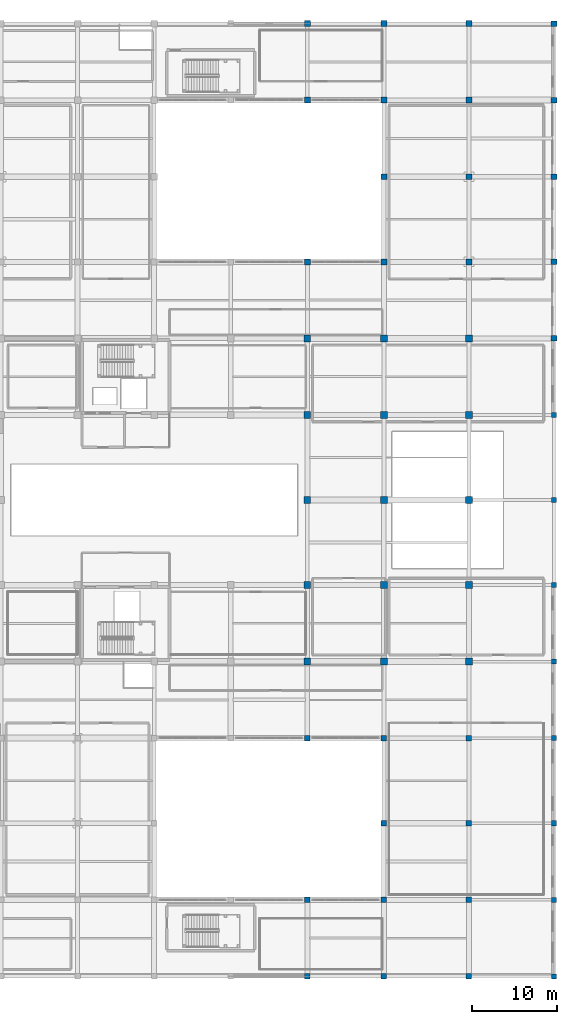
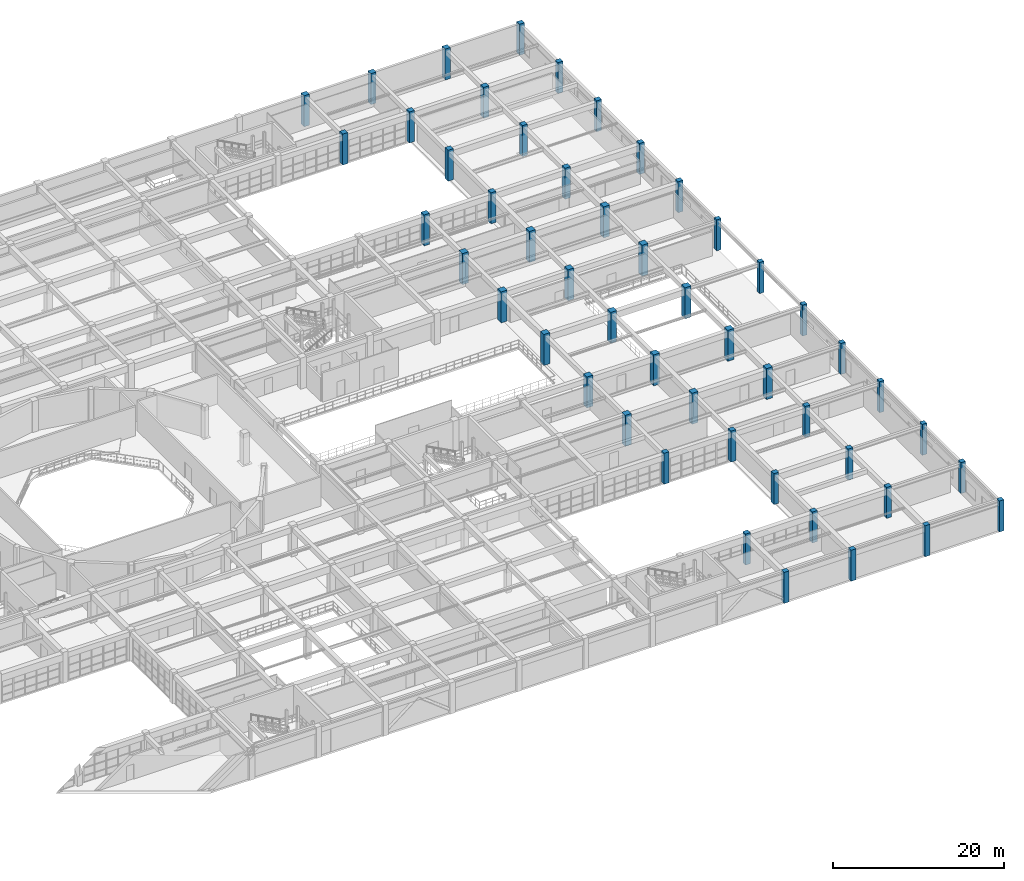
# One storey, part 14 of 133: 50 columns.
"""IFC4 building model written with IfcOpenShell, lengths in metres."""

from ifc_helpers import new_model, si_unit, direction, frame, origin, origin_2d, place, context, subcontext, project, spatial, rectangle, extrude, material, material_profile, profile_set, type_object, element, save


model = new_model("IFC4")

# Units and contexts
model_context = context("Model", 3, precision=1e-05, world=origin(), true_north=direction((0.0, 1.0)))
body_context = subcontext(model_context, "Body", "Model", "MODEL_VIEW")
ifc_project = project(units=[si_unit("LENGTHUNIT", "METRE"), si_unit("AREAUNIT", "SQUARE_METRE"), si_unit("VOLUMEUNIT", "CUBIC_METRE"), si_unit("PLANEANGLEUNIT", "RADIAN"), si_unit("MASSUNIT", "GRAM", prefix="KILO")], contexts=[model_context])

# Site, building, storey
site_placement = place(None, origin())
site = spatial("IfcSite", under=ifc_project, at=site_placement, CompositionType="ELEMENT")
building_placement = place(site_placement, origin())
building = spatial("IfcBuilding", under=site, at=building_placement, Name="Miravela Opera House", CompositionType="ELEMENT")
storey_placement = place(building_placement, frame((0.0, 0.0, 5.10009765625)))
storey = spatial("IfcBuildingStorey", under=building, at=storey_placement, Name="L01", CompositionType="ELEMENT", Elevation=5.10009765625)

# Columns
ifc_material_1 = material(Name="Concrete C35/45", Category="concrete")
ifc_material_profile_1 = material_profile(ifc_material_1, rectangle(XDim=0.60009765625, YDim=0.60009765625, at=origin_2d()), Name="RC-COL-600X600")
ifc_profile_set_1 = profile_set([ifc_material_profile_1])
column_type_1 = type_object("IfcColumnType", Name="STR-COL-RC600", PredefinedType="COLUMN", material=ifc_profile_set_1)
for number, where, z_axis, x_axis, name in (
    (1, (164.0, 0.0, 0.0), (0.0, 0.0, 1.0), (1.0, 0.0, 0.0), "Column C-19A (L01)"),
    (2, (164.0, 9.0, 0.0), (0.0, 0.0, 1.0), (1.0, 0.0, 0.0), "Column C-19B (L01)"),
    (3, (164.0, 18.0, 0.0), (0.0, 0.0, 1.0), (1.0, 0.0, 0.0), "Column C-19C (L01)"),
    (4, (164.0, 28.0, 0.0), (0.0, 0.0, 1.0), (1.0, 0.0, 0.0), "Column C-19D (L01)"),
    (5, (164.0, 37.0, 0.0), (0.0, 0.0, 1.0), (1.0, 0.0, 0.0), "Column C-19E (L01)"),
    (6, (164.0, 46.0, 0.0), (0.0, 0.0, 1.0), (1.0, 0.0, 0.0), "Column C-19F (L01)"),
    (7, (164.0, 56.0, 0.0), (0.0, 0.0, 1.0), (1.0, 0.0, 0.0), "Column C-19G (L01)"),
    (8, (164.0, 66.0, 0.0), (0.0, 0.0, 1.0), (1.0, 0.0, 0.0), "Column C-19H (L01)"),
):
    element("IfcColumn", number, at=place(storey_placement, frame(where, z_axis=z_axis, x_axis=x_axis)), inside=storey, type_object=column_type_1, Name=name, PredefinedType="COLUMN", context=body_context, shape_type="SweptSolid", body=[
        extrude(rectangle(XDim=0.60009765625, YDim=0.60009765625, at=origin_2d()), origin(), (0.0, 0.0, 1.0), 4.419921875),
    ])
ifc_material_profile_2 = material_profile(ifc_material_1, rectangle(XDim=0.64990234375, YDim=0.64990234375, at=origin_2d()), Name="RC-COL-650X650")
ifc_profile_set_2 = profile_set([ifc_material_profile_2])
column_type_2 = type_object("IfcColumnType", Name="STR-COL-RC650", PredefinedType="COLUMN", material=ifc_profile_set_2)
for number, where, z_axis, x_axis, name in (
    (9, (135.0, 0.0, 0.0), (0.0, 0.0, 1.0), (1.0, 0.0, 0.0), "Column C-16A (L01)"),
    (10, (135.0, 9.0, 0.0), (0.0, 0.0, 1.0), (1.0, 0.0, 0.0), "Column C-16B (L01)"),
    (11, (135.0, 28.0, 0.0), (0.0, 0.0, 1.0), (1.0, 0.0, 0.0), "Column C-16D (L01)"),
    (12, (144.0, 0.0, 0.0), (0.0, 0.0, 1.0), (1.0, 0.0, 0.0), "Column C-17A (L01)"),
    (13, (144.0, 9.0, 0.0), (0.0, 0.0, 1.0), (1.0, 0.0, 0.0), "Column C-17B (L01)"),
    (14, (144.0, 18.0, 0.0), (0.0, 0.0, 1.0), (1.0, 0.0, 0.0), "Column C-17C (L01)"),
    (15, (144.0, 28.0, 0.0), (0.0, 0.0, 1.0), (1.0, 0.0, 0.0), "Column C-17D (L01)"),
    (16, (154.0, 0.0, 0.0), (0.0, 0.0, 1.0), (1.0, 0.0, 0.0), "Column C-18A (L01)"),
    (17, (154.0, 9.0, 0.0), (0.0, 0.0, 1.0), (1.0, 0.0, 0.0), "Column C-18B (L01)"),
    (18, (154.0, 18.0, 0.0), (0.0, 0.0, 1.0), (1.0, 0.0, 0.0), "Column C-18C (L01)"),
    (19, (154.0, 28.0, 0.0), (0.0, 0.0, 1.0), (1.0, 0.0, 0.0), "Column C-18D (L01)"),
    (20, (164.0, 75.0, 0.0), (0.0, 0.0, 1.0), (1.0, 0.0, 0.0), "Column C-19I (L01)"),
    (21, (164.0, 84.0, 0.0), (0.0, 0.0, 1.0), (1.0, 0.0, 0.0), "Column C-19J (L01)"),
    (22, (164.0, 94.0, 0.0), (0.0, 0.0, 1.0), (1.0, 0.0, 0.0), "Column C-19K (L01)"),
    (23, (164.0, 103.0, 0.0), (0.0, 0.0, 1.0), (1.0, 0.0, 0.0), "Column C-19L (L01)"),
    (24, (164.0, 112.0, 0.0), (0.0, 0.0, 1.0), (1.0, 0.0, 0.0), "Column C-19M (L01)"),
):
    element("IfcColumn", number, at=place(storey_placement, frame(where, z_axis=z_axis, x_axis=x_axis)), inside=storey, type_object=column_type_2, Name=name, PredefinedType="COLUMN", context=body_context, shape_type="SweptSolid", body=[
        extrude(rectangle(XDim=0.64990234375, YDim=0.64990234375, at=origin_2d()), origin(), (0.0, 0.0, 1.0), 4.419921875),
    ])
ifc_material_profile_3 = material_profile(ifc_material_1, rectangle(XDim=0.699951171875, YDim=0.699951171875, at=origin_2d()), Name="RC-COL-700X700")
ifc_profile_set_3 = profile_set([ifc_material_profile_3])
column_type_3 = type_object("IfcColumnType", Name="STR-COL-RC700", PredefinedType="COLUMN", material=ifc_profile_set_3)
for number, where, z_axis, x_axis, name in (
    (25, (135.0, 84.0, 0.0), (0.0, 0.0, 1.0), (1.0, 0.0, 0.0), "Column C-16J (L01)"),
    (26, (135.0, 103.0, 0.0), (0.0, 0.0, 1.0), (1.0, 0.0, 0.0), "Column C-16L (L01)"),
    (27, (135.0, 112.0, 0.0), (0.0, 0.0, 1.0), (1.0, 0.0, 0.0), "Column C-16M (L01)"),
    (28, (144.0, 84.0, 0.0), (0.0, 0.0, 1.0), (1.0, 0.0, 0.0), "Column C-17J (L01)"),
    (29, (144.0, 94.0, 0.0), (0.0, 0.0, 1.0), (1.0, 0.0, 0.0), "Column C-17K (L01)"),
    (30, (144.0, 103.0, 0.0), (0.0, 0.0, 1.0), (1.0, 0.0, 0.0), "Column C-17L (L01)"),
    (31, (144.0, 112.0, 0.0), (0.0, 0.0, 1.0), (1.0, 0.0, 0.0), "Column C-17M (L01)"),
    (32, (154.0, 84.0, 0.0), (0.0, 0.0, 1.0), (1.0, 0.0, 0.0), "Column C-18J (L01)"),
    (33, (154.0, 94.0, 0.0), (0.0, 0.0, 1.0), (1.0, 0.0, 0.0), "Column C-18K (L01)"),
    (34, (154.0, 103.0, 0.0), (0.0, 0.0, 1.0), (1.0, 0.0, 0.0), "Column C-18L (L01)"),
    (35, (154.0, 112.0, 0.0), (0.0, 0.0, 1.0), (1.0, 0.0, 0.0), "Column C-18M (L01)"),
):
    element("IfcColumn", number, at=place(storey_placement, frame(where, z_axis=z_axis, x_axis=x_axis)), inside=storey, type_object=column_type_3, Name=name, PredefinedType="COLUMN", context=body_context, shape_type="SweptSolid", body=[
        extrude(rectangle(XDim=0.699951171875, YDim=0.699951171875, at=origin_2d()), origin(), (0.0, 0.0, 1.0), 4.419921875),
    ])
ifc_material_2 = material(Name="Concrete C40/50", Category="concrete")
ifc_material_profile_4 = material_profile(ifc_material_2, rectangle(XDim=0.800048828125, YDim=0.800048828125, at=origin_2d()), Name="RC-COL-800X800")
ifc_profile_set_4 = profile_set([ifc_material_profile_4])
column_type_4 = type_object("IfcColumnType", Name="STR-COL-RC800", PredefinedType="COLUMN", material=ifc_profile_set_4)
for number, where, z_axis, x_axis, name in (
    (36, (135.0, 37.0, 0.0), (0.0, 0.0, 1.0), (1.0, 0.0, 0.0), "Column C-16E (L01)"),
    (37, (135.0, 46.0, 0.0), (0.0, 0.0, 1.0), (1.0, 0.0, 0.0), "Column C-16F (L01)"),
    (38, (135.0, 56.0, 0.0), (0.0, 0.0, 1.0), (1.0, 0.0, 0.0), "Column C-16G (L01)"),
    (39, (135.0, 66.0, 0.0), (0.0, 0.0, 1.0), (1.0, 0.0, 0.0), "Column C-16H (L01)"),
    (40, (135.0, 75.0, 0.0), (0.0, 0.0, 1.0), (1.0, 0.0, 0.0), "Column C-16I (L01)"),
    (41, (144.0, 37.0, 0.0), (0.0, 0.0, 1.0), (1.0, 0.0, 0.0), "Column C-17E (L01)"),
    (42, (144.0, 46.0, 0.0), (0.0, 0.0, 1.0), (1.0, 0.0, 0.0), "Column C-17F (L01)"),
    (43, (144.0, 56.0, 0.0), (0.0, 0.0, 1.0), (1.0, 0.0, 0.0), "Column C-17G (L01)"),
    (44, (144.0, 66.0, 0.0), (0.0, 0.0, 1.0), (1.0, 0.0, 0.0), "Column C-17H (L01)"),
    (45, (144.0, 75.0, 0.0), (0.0, 0.0, 1.0), (1.0, 0.0, 0.0), "Column C-17I (L01)"),
    (46, (154.0, 37.0, 0.0), (0.0, 0.0, 1.0), (1.0, 0.0, 0.0), "Column C-18E (L01)"),
    (47, (154.0, 46.0, 0.0), (0.0, 0.0, 1.0), (1.0, 0.0, 0.0), "Column C-18F (L01)"),
    (48, (154.0, 56.0, 0.0), (0.0, 0.0, 1.0), (1.0, 0.0, 0.0), "Column C-18G (L01)"),
    (49, (154.0, 66.0, 0.0), (0.0, 0.0, 1.0), (1.0, 0.0, 0.0), "Column C-18H (L01)"),
    (50, (154.0, 75.0, 0.0), (0.0, 0.0, 1.0), (1.0, 0.0, 0.0), "Column C-18I (L01)"),
):
    element("IfcColumn", number, at=place(storey_placement, frame(where, z_axis=z_axis, x_axis=x_axis)), inside=storey, type_object=column_type_4, Name=name, PredefinedType="COLUMN", context=body_context, shape_type="SweptSolid", body=[
        extrude(rectangle(XDim=0.800048828125, YDim=0.800048828125, at=origin_2d()), origin(), (0.0, 0.0, 1.0), 4.419921875),
    ])

save(model, "model.ifc")
